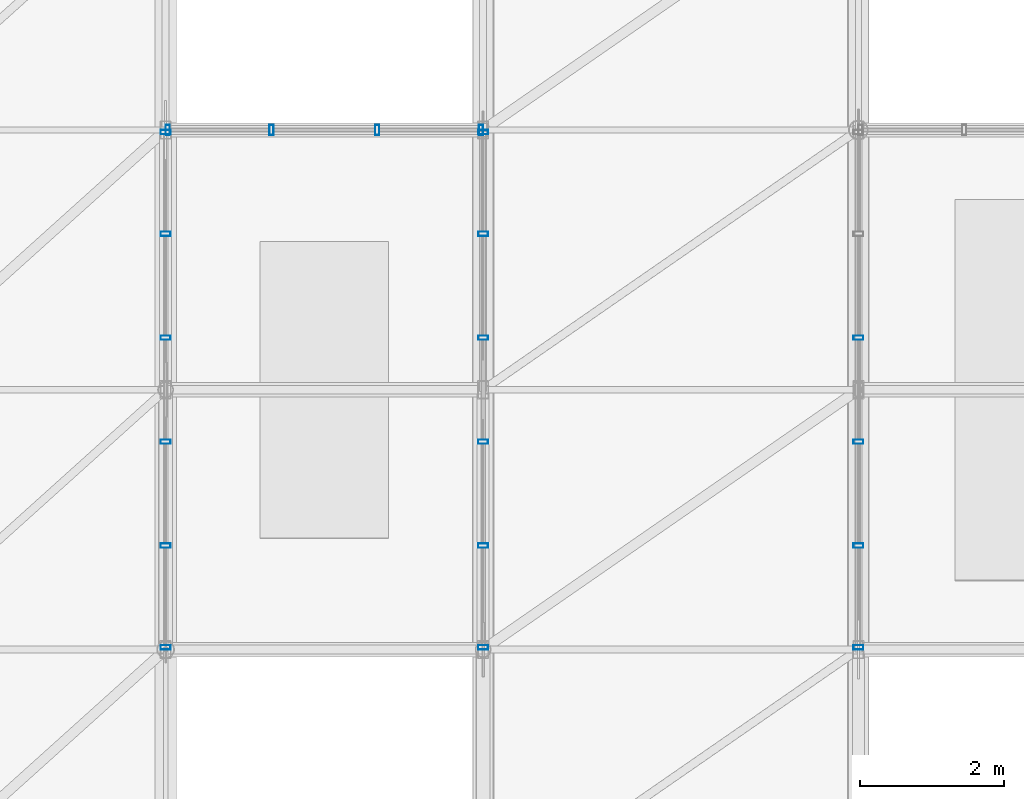
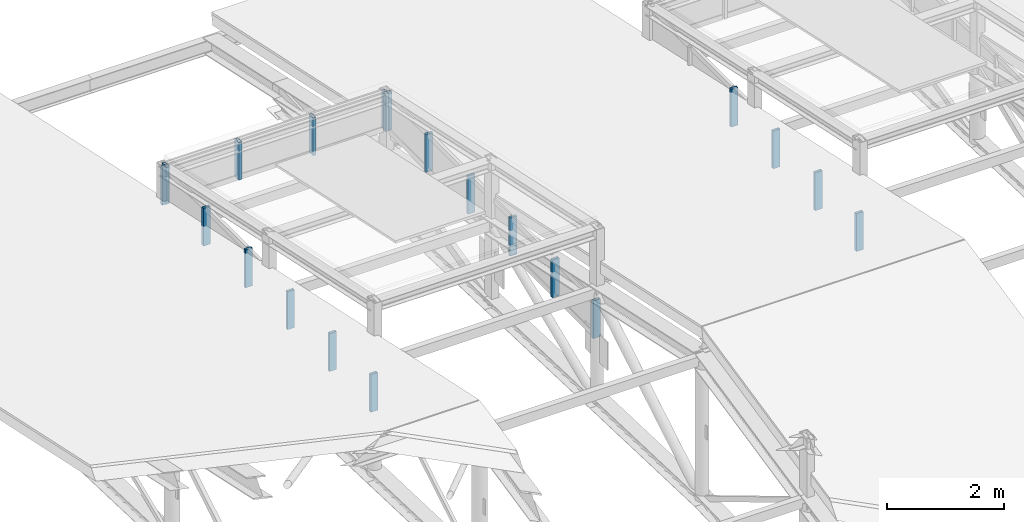
# One storey, part 73 of 124: 20 members, 4 elements without a shape of their own.
"""IFC4 building model written with IfcOpenShell, lengths in metres."""

from ifc_helpers import new_model, si_unit, direction, frame, origin, origin_2d, place, context, subcontext, project, spatial, hollow_rectangle, extrude, material, layer, layer_set, material_profile, profile_set, type_object, element, aggregate, save


model = new_model("IFC4")

# Units and contexts
model_context = context("Model", 3, precision=1e-05, world=origin(), true_north=direction((0.0, 1.0)))
body_context = subcontext(model_context, "Body", "Model", "MODEL_VIEW")
ifc_project = project(units=[si_unit("LENGTHUNIT", "METRE"), si_unit("AREAUNIT", "SQUARE_METRE"), si_unit("VOLUMEUNIT", "CUBIC_METRE"), si_unit("PLANEANGLEUNIT", "RADIAN"), si_unit("MASSUNIT", "GRAM", prefix="KILO"), si_unit("THERMODYNAMICTEMPERATUREUNIT", "KELVIN"), si_unit("POWERUNIT", "WATT")], contexts=[model_context])

# Site, building, storey
site_placement = place(None, origin())
site = spatial("IfcSite", under=ifc_project, at=site_placement, CompositionType="ELEMENT")
building_placement = place(site_placement, origin())
building = spatial("IfcBuilding", under=site, at=building_placement, Name="Tavuni Mirador Residences", CompositionType="ELEMENT")
storey_placement = place(building_placement, frame((0.0, 0.0, 7.64990234375)))
storey = spatial("IfcBuildingStorey", under=building, at=storey_placement, Name="L02", CompositionType="ELEMENT", Elevation=7.64990234375)

# Curtain wall, members
ifc_material = material(Name="Anodised aluminium", Category="aluminium")
ifc_layer = layer(ifc_material, 0.199951171875, Name="Anodised aluminium", Category="aluminium")
ifc_layer_set = layer_set([ifc_layer], Name="Anodised aluminium")
curtain_wall_type = type_object("IfcCurtainWallType", Name="CWT-HAL-01", PredefinedType="NOTDEFINED", material=ifc_layer_set)
curtain_wall_1_placement = place(storey_placement, origin())
curtain_wall_1 = element("IfcCurtainWall", 1, at=curtain_wall_1_placement, inside=storey, type_object=curtain_wall_type, Name="CW-HALL-MON-N1-W", PredefinedType="NOTDEFINED")
ifc_material_profile = material_profile(ifc_material, hollow_rectangle(XDim=0.06005859375, YDim=0.139892578125, WallThickness=0.00390625, at=origin_2d()), Name="ALU 60x140x4.0", Category="aluminium")
ifc_profile_set = profile_set([ifc_material_profile], Name="Anodised aluminium")
member_type = type_object("IfcMemberType", Name="CWM-140", PredefinedType="MULLION", material=ifc_profile_set)
member_1_placement = place(storey_placement, frame((44.800048828125, 90.030029296875, 1.175048828125), z_axis=(0.0, 0.0, 1.0), x_axis=(0.0, 1.0, 0.0)))
member_1 = element("IfcMember", 2, at=member_1_placement, type_object=member_type, Name="CW-06 mullion 1", PredefinedType="MULLION", context=body_context, shape_type="SweptSolid", body=[
    extrude(hollow_rectangle(XDim=0.06005859375, YDim=0.139892578125, WallThickness=0.00390625, at=origin_2d()), origin(), (0.0, 0.0, 1.0), 0.7900390625),
])
member_2_placement = place(storey_placement, frame((44.800048828125, 91.43994140625, 1.175048828125), z_axis=(0.0, 0.0, 1.0), x_axis=(0.0, 1.0, 0.0)))
member_2 = element("IfcMember", 3, at=member_2_placement, type_object=member_type, Name="CW-06 mullion 2", PredefinedType="MULLION", context=body_context, shape_type="SweptSolid", body=[
    extrude(hollow_rectangle(XDim=0.06005859375, YDim=0.139892578125, WallThickness=0.00390625, at=origin_2d()), origin(), (0.0, 0.0, 1.0), 0.7900390625),
])
member_3_placement = place(storey_placement, frame((44.800048828125, 92.8798828125, 1.175048828125), z_axis=(0.0, 0.0, 1.0), x_axis=(0.0, 1.0, 0.0)))
member_3 = element("IfcMember", 4, at=member_3_placement, type_object=member_type, Name="CW-06 mullion 3", PredefinedType="MULLION", context=body_context, shape_type="SweptSolid", body=[
    extrude(hollow_rectangle(XDim=0.06005859375, YDim=0.139892578125, WallThickness=0.00390625, at=origin_2d()), origin(), (0.0, 0.0, 1.0), 0.7900390625),
])
member_4_placement = place(storey_placement, frame((44.800048828125, 94.320068359375, 1.175048828125), z_axis=(0.0, 0.0, 1.0), x_axis=(0.0, 1.0, 0.0)))
member_4 = element("IfcMember", 5, at=member_4_placement, type_object=member_type, Name="CW-06 mullion 4", PredefinedType="MULLION", context=body_context, shape_type="SweptSolid", body=[
    extrude(hollow_rectangle(XDim=0.06005859375, YDim=0.139892578125, WallThickness=0.00390625, at=origin_2d()), origin(), (0.0, 0.0, 1.0), 0.7900390625),
])
member_5_placement = place(storey_placement, frame((44.800048828125, 95.760009765625, 1.175048828125), z_axis=(0.0, 0.0, 1.0), x_axis=(0.0, 1.0, 0.0)))
member_5 = element("IfcMember", 6, at=member_5_placement, type_object=member_type, Name="CW-06 mullion 5", PredefinedType="MULLION", context=body_context, shape_type="SweptSolid", body=[
    extrude(hollow_rectangle(XDim=0.06005859375, YDim=0.139892578125, WallThickness=0.00390625, at=origin_2d()), origin(), (0.0, 0.0, 1.0), 0.7900390625),
])
member_6_placement = place(storey_placement, frame((44.800048828125, 97.169921875, 1.175048828125), z_axis=(0.0, 0.0, 1.0), x_axis=(0.0, 1.0, 0.0)))
member_6 = element("IfcMember", 7, at=member_6_placement, type_object=member_type, Name="CW-06 mullion 6", PredefinedType="MULLION", context=body_context, shape_type="SweptSolid", body=[
    extrude(hollow_rectangle(XDim=0.06005859375, YDim=0.139892578125, WallThickness=0.00390625, at=origin_2d()), origin(), (0.0, 0.0, 1.0), 0.7900390625),
])
aggregate(curtain_wall_1, [member_1, member_2, member_3, member_4, member_5, member_6])

curtain_wall_2_placement = place(storey_placement, origin())
curtain_wall_2 = element("IfcCurtainWall", 8, at=curtain_wall_2_placement, inside=storey, type_object=curtain_wall_type, Name="CW-HALL-MON-N1-E", PredefinedType="NOTDEFINED")
member_7_placement = place(storey_placement, frame((49.199951171875, 90.030029296875, 1.175048828125), z_axis=(0.0, 0.0, 1.0), x_axis=(0.0, 1.0, 0.0)))
member_7 = element("IfcMember", 9, at=member_7_placement, type_object=member_type, Name="CW-06 mullion 1", PredefinedType="MULLION", context=body_context, shape_type="SweptSolid", body=[
    extrude(hollow_rectangle(XDim=0.06005859375, YDim=0.139892578125, WallThickness=0.00390625, at=origin_2d()), origin(), (0.0, 0.0, 1.0), 0.7900390625),
])
member_8_placement = place(storey_placement, frame((49.199951171875, 91.43994140625, 1.175048828125), z_axis=(0.0, 0.0, 1.0), x_axis=(0.0, 1.0, 0.0)))
member_8 = element("IfcMember", 10, at=member_8_placement, type_object=member_type, Name="CW-06 mullion 2", PredefinedType="MULLION", context=body_context, shape_type="SweptSolid", body=[
    extrude(hollow_rectangle(XDim=0.06005859375, YDim=0.139892578125, WallThickness=0.00390625, at=origin_2d()), origin(), (0.0, 0.0, 1.0), 0.7900390625),
])
member_9_placement = place(storey_placement, frame((49.199951171875, 92.8798828125, 1.175048828125), z_axis=(0.0, 0.0, 1.0), x_axis=(0.0, 1.0, 0.0)))
member_9 = element("IfcMember", 11, at=member_9_placement, type_object=member_type, Name="CW-06 mullion 3", PredefinedType="MULLION", context=body_context, shape_type="SweptSolid", body=[
    extrude(hollow_rectangle(XDim=0.06005859375, YDim=0.139892578125, WallThickness=0.00390625, at=origin_2d()), origin(), (0.0, 0.0, 1.0), 0.7900390625),
])
member_10_placement = place(storey_placement, frame((49.199951171875, 94.320068359375, 1.175048828125), z_axis=(0.0, 0.0, 1.0), x_axis=(0.0, 1.0, 0.0)))
member_10 = element("IfcMember", 12, at=member_10_placement, type_object=member_type, Name="CW-06 mullion 4", PredefinedType="MULLION", context=body_context, shape_type="SweptSolid", body=[
    extrude(hollow_rectangle(XDim=0.06005859375, YDim=0.139892578125, WallThickness=0.00390625, at=origin_2d()), origin(), (0.0, 0.0, 1.0), 0.7900390625),
])
member_11_placement = place(storey_placement, frame((49.199951171875, 95.760009765625, 1.175048828125), z_axis=(0.0, 0.0, 1.0), x_axis=(0.0, 1.0, 0.0)))
member_11 = element("IfcMember", 13, at=member_11_placement, type_object=member_type, Name="CW-06 mullion 5", PredefinedType="MULLION", context=body_context, shape_type="SweptSolid", body=[
    extrude(hollow_rectangle(XDim=0.06005859375, YDim=0.139892578125, WallThickness=0.00390625, at=origin_2d()), origin(), (0.0, 0.0, 1.0), 0.7900390625),
])
member_12_placement = place(storey_placement, frame((49.199951171875, 97.169921875, 1.175048828125), z_axis=(0.0, 0.0, 1.0), x_axis=(0.0, 1.0, 0.0)))
member_12 = element("IfcMember", 14, at=member_12_placement, type_object=member_type, Name="CW-06 mullion 6", PredefinedType="MULLION", context=body_context, shape_type="SweptSolid", body=[
    extrude(hollow_rectangle(XDim=0.06005859375, YDim=0.139892578125, WallThickness=0.00390625, at=origin_2d()), origin(), (0.0, 0.0, 1.0), 0.7900390625),
])
aggregate(curtain_wall_2, [member_7, member_8, member_9, member_10, member_11, member_12])

curtain_wall_3_placement = place(storey_placement, origin())
curtain_wall_3 = element("IfcCurtainWall", 15, at=curtain_wall_3_placement, inside=storey, type_object=curtain_wall_type, Name="CW-HALL-MON-N1-END", PredefinedType="NOTDEFINED")
member_13_placement = place(storey_placement, frame((44.830078125, 97.199951171875, 1.175048828125), z_axis=(0.0, 0.0, 1.0), x_axis=(1.0, 0.0, 0.0)))
member_13 = element("IfcMember", 16, at=member_13_placement, type_object=member_type, Name="CW-06 mullion 1", PredefinedType="MULLION", context=body_context, shape_type="SweptSolid", body=[
    extrude(hollow_rectangle(XDim=0.06005859375, YDim=0.139892578125, WallThickness=0.00390625, at=origin_2d()), origin(), (0.0, 0.0, 1.0), 0.7900390625),
])
member_14_placement = place(storey_placement, frame((46.2666015625, 97.199951171875, 1.175048828125), z_axis=(0.0, 0.0, 1.0), x_axis=(1.0, 0.0, 0.0)))
member_14 = element("IfcMember", 17, at=member_14_placement, type_object=member_type, Name="CW-06 mullion 2", PredefinedType="MULLION", context=body_context, shape_type="SweptSolid", body=[
    extrude(hollow_rectangle(XDim=0.06005859375, YDim=0.139892578125, WallThickness=0.00390625, at=origin_2d()), origin(), (0.0, 0.0, 1.0), 0.7900390625),
])
member_15_placement = place(storey_placement, frame((47.7333984375, 97.199951171875, 1.175048828125), z_axis=(0.0, 0.0, 1.0), x_axis=(1.0, 0.0, 0.0)))
member_15 = element("IfcMember", 18, at=member_15_placement, type_object=member_type, Name="CW-06 mullion 3", PredefinedType="MULLION", context=body_context, shape_type="SweptSolid", body=[
    extrude(hollow_rectangle(XDim=0.06005859375, YDim=0.139892578125, WallThickness=0.00390625, at=origin_2d()), origin(), (0.0, 0.0, 1.0), 0.7900390625),
])
member_16_placement = place(storey_placement, frame((49.169921875, 97.199951171875, 1.175048828125), z_axis=(0.0, 0.0, 1.0), x_axis=(1.0, 0.0, 0.0)))
member_16 = element("IfcMember", 19, at=member_16_placement, type_object=member_type, Name="CW-06 mullion 4", PredefinedType="MULLION", context=body_context, shape_type="SweptSolid", body=[
    extrude(hollow_rectangle(XDim=0.06005859375, YDim=0.139892578125, WallThickness=0.00390625, at=origin_2d()), origin(), (0.0, 0.0, 1.0), 0.7900390625),
])
aggregate(curtain_wall_3, [member_13, member_14, member_15, member_16])

curtain_wall_4_placement = place(storey_placement, origin())
curtain_wall_4 = element("IfcCurtainWall", 20, at=curtain_wall_4_placement, inside=storey, type_object=curtain_wall_type, Name="CW-HALL-MON-N2-W", PredefinedType="NOTDEFINED")
member_17_placement = place(storey_placement, frame((54.39990234375, 90.030029296875, 1.175048828125), z_axis=(0.0, 0.0, 1.0), x_axis=(0.0, 1.0, 0.0)))
member_17 = element("IfcMember", 21, at=member_17_placement, type_object=member_type, Name="CW-06 mullion 1", PredefinedType="MULLION", context=body_context, shape_type="SweptSolid", body=[
    extrude(hollow_rectangle(XDim=0.06005859375, YDim=0.139892578125, WallThickness=0.00390625, at=origin_2d()), origin(), (0.0, 0.0, 1.0), 0.7900390625),
])
member_18_placement = place(storey_placement, frame((54.39990234375, 91.43994140625, 1.175048828125), z_axis=(0.0, 0.0, 1.0), x_axis=(0.0, 1.0, 0.0)))
member_18 = element("IfcMember", 22, at=member_18_placement, type_object=member_type, Name="CW-06 mullion 2", PredefinedType="MULLION", context=body_context, shape_type="SweptSolid", body=[
    extrude(hollow_rectangle(XDim=0.06005859375, YDim=0.139892578125, WallThickness=0.00390625, at=origin_2d()), origin(), (0.0, 0.0, 1.0), 0.7900390625),
])
member_19_placement = place(storey_placement, frame((54.39990234375, 92.8798828125, 1.175048828125), z_axis=(0.0, 0.0, 1.0), x_axis=(0.0, 1.0, 0.0)))
member_19 = element("IfcMember", 23, at=member_19_placement, type_object=member_type, Name="CW-06 mullion 3", PredefinedType="MULLION", context=body_context, shape_type="SweptSolid", body=[
    extrude(hollow_rectangle(XDim=0.06005859375, YDim=0.139892578125, WallThickness=0.00390625, at=origin_2d()), origin(), (0.0, 0.0, 1.0), 0.7900390625),
])
member_20_placement = place(storey_placement, frame((54.39990234375, 94.320068359375, 1.175048828125), z_axis=(0.0, 0.0, 1.0), x_axis=(0.0, 1.0, 0.0)))
member_20 = element("IfcMember", 24, at=member_20_placement, type_object=member_type, Name="CW-06 mullion 4", PredefinedType="MULLION", context=body_context, shape_type="SweptSolid", body=[
    extrude(hollow_rectangle(XDim=0.06005859375, YDim=0.139892578125, WallThickness=0.00390625, at=origin_2d()), origin(), (0.0, 0.0, 1.0), 0.7900390625),
])
aggregate(curtain_wall_4, [member_17, member_18, member_19, member_20])

save(model, "model.ifc")
